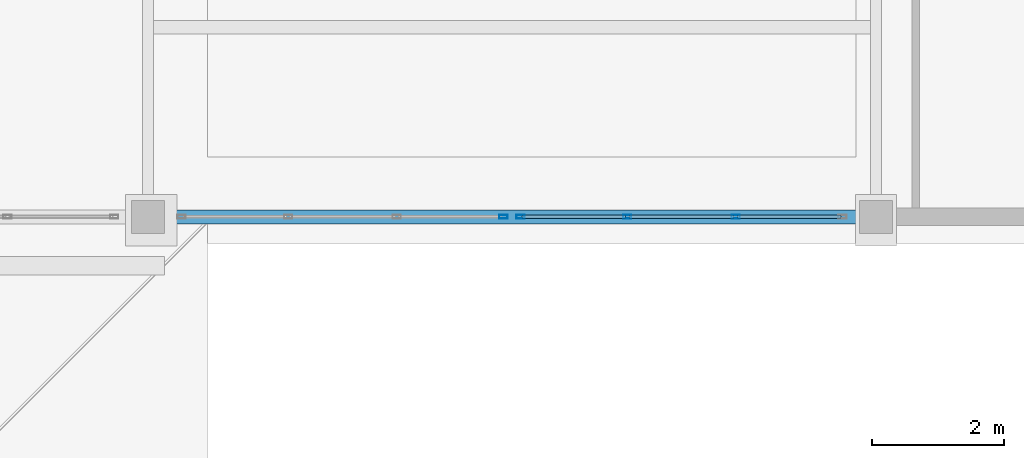
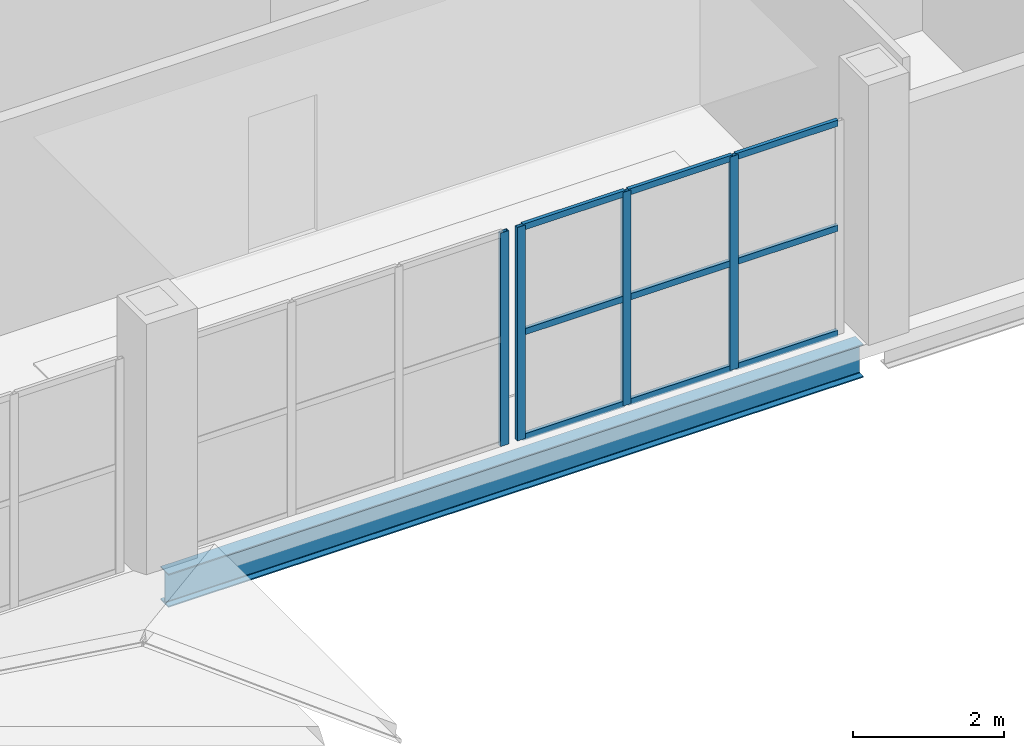
# One storey, part 7 of 26: 13 members, 1 beam, 2 elements without a shape of their own.
"""IFC4 building model written with IfcOpenShell, lengths in metres."""

from ifc_helpers import new_model, si_unit, direction, frame, origin, origin_2d, place, context, subcontext, project, spatial, hollow_rectangle, i_section, extrude, material, material_profile, profile_set, type_object, element, aggregate, save


model = new_model("IFC4")

# Units and contexts
model_context = context("Model", 3, precision=1e-05, world=origin(), true_north=direction((0.0, 1.0)))
body_context = subcontext(model_context, "Body", "Model", "MODEL_VIEW")
ifc_project = project(units=[si_unit("LENGTHUNIT", "METRE"), si_unit("AREAUNIT", "SQUARE_METRE"), si_unit("VOLUMEUNIT", "CUBIC_METRE"), si_unit("PLANEANGLEUNIT", "RADIAN"), si_unit("MASSUNIT", "GRAM", prefix="KILO")], contexts=[model_context])

# Site, building, storey
site_placement = place(None, origin())
site = spatial("IfcSite", under=ifc_project, at=site_placement, CompositionType="ELEMENT")
building_placement = place(site_placement, origin())
building = spatial("IfcBuilding", under=site, at=building_placement, Name="Caurita Quay Ferry Terminal", CompositionType="ELEMENT")
storey_placement = place(building_placement, frame((0.0, 0.0, 18.300048828125)))
storey = spatial("IfcBuildingStorey", under=building, at=storey_placement, Name="L04", CompositionType="ELEMENT", Elevation=18.300048828125)

# Beam
ifc_material_1 = material(Name="Structural steel ASTM A992 Gr. 50", Category="steel")
ifc_material_profile_1 = material_profile(ifc_material_1, i_section(OverallWidth=0.210693359375, OverallDepth=0.53857421875, WebThickness=0.01171875, FlangeThickness=0.018798828125, FilletRadius=0.013916015625, at=origin_2d()), Name="W21X73")
ifc_profile_set_1 = profile_set([ifc_material_profile_1], Name="Structural steel ASTM A992 Gr. 50")
beam_type = type_object("IfcBeamType", Name="BM-GR-W21A", PredefinedType="BEAM", material=ifc_profile_set_1)
beam_placement = place(storey_placement, frame((22.19140625, 71.60009765625, -0.4892578125), z_axis=(1.0, 0.0, 0.0), x_axis=(0.0, 1.0, 0.0)))
element("IfcBeam", 1, at=beam_placement, inside=storey, type_object=beam_type, Name="L04 Beam BM-V5-L04-X-222-716", PredefinedType="BEAM", context=body_context, shape_type="SweptSolid", body=[
    extrude(i_section(OverallWidth=0.210693359375, OverallDepth=0.53857421875, WebThickness=0.01171875, FlangeThickness=0.018798828125, FilletRadius=0.013916015625, at=origin_2d()), origin(), (0.0, 0.0, 1.0), 10.617431640625),
])

# Curtain wall, member
ifc_material_2 = material(Name="Laminated solar-control insulated glass", Category="glass")
curtain_wall_type = type_object("IfcCurtainWallType", Name="CW-SYS-22", PredefinedType="NOTDEFINED", material=ifc_material_2)
curtain_wall_1_placement = place(storey_placement, origin())
curtain_wall_1 = element("IfcCurtainWall", 2, at=curtain_wall_1_placement, inside=storey, type_object=curtain_wall_type, Name="VTS Harbour South Watch Curtain Wall 154", PredefinedType="NOTDEFINED")
ifc_material_3 = material(Name="Anodized aluminium 6063-T6", Category="aluminium")
ifc_material_profile_2 = material_profile(ifc_material_3, hollow_rectangle(XDim=0.054931640625, YDim=0.125, WallThickness=0.00341796875, at=origin_2d()), Name="ALU-MUL-55X125")
ifc_profile_set_2 = profile_set([ifc_material_profile_2], Name="Anodized aluminium 6063-T6")
member_type_1 = type_object("IfcMemberType", Name="CW-MUL-125", PredefinedType="MULLION", material=ifc_profile_set_2)
member_1_placement = place(storey_placement, frame((27.37255859375, 71.60009765625, 0.0), z_axis=(0.0, 0.0, 1.0), x_axis=(0.0, 1.0, 0.0)))
member_1 = element("IfcMember", 3, at=member_1_placement, type_object=member_type_1, Name="CW-VTS-154 Mullion 4", PredefinedType="MULLION", context=body_context, shape_type="SweptSolid", body=[
    extrude(hollow_rectangle(XDim=0.054931640625, YDim=0.125, WallThickness=0.00341796875, at=origin_2d()), origin(), (0.0, 0.0, 1.0), 3.449951171875),
])
aggregate(curtain_wall_1, [member_1])

# Curtain wall, members
curtain_wall_2_placement = place(storey_placement, origin())
curtain_wall_2 = element("IfcCurtainWall", 4, at=curtain_wall_2_placement, inside=storey, type_object=curtain_wall_type, Name="VTS Harbour South Watch Curtain Wall 155", PredefinedType="NOTDEFINED")
member_2_placement = place(storey_placement, frame((27.62744140625, 71.60009765625, 0.0), z_axis=(0.0, 0.0, 1.0), x_axis=(0.0, 1.0, 0.0)))
member_2 = element("IfcMember", 5, at=member_2_placement, type_object=member_type_1, Name="CW-VTS-155 Mullion 1", PredefinedType="MULLION", context=body_context, shape_type="SweptSolid", body=[
    extrude(hollow_rectangle(XDim=0.054931640625, YDim=0.125, WallThickness=0.00341796875, at=origin_2d()), origin(), (0.0, 0.0, 1.0), 3.449951171875),
])
member_3_placement = place(storey_placement, frame((29.239990234375, 71.60009765625, 0.0), z_axis=(0.0, 0.0, 1.0), x_axis=(0.0, 1.0, 0.0)))
member_3 = element("IfcMember", 6, at=member_3_placement, type_object=member_type_1, Name="CW-VTS-155 Mullion 2", PredefinedType="MULLION", context=body_context, shape_type="SweptSolid", body=[
    extrude(hollow_rectangle(XDim=0.054931640625, YDim=0.125, WallThickness=0.00341796875, at=origin_2d()), origin(), (0.0, 0.0, 1.0), 3.449951171875),
])
member_4_placement = place(storey_placement, frame((30.8798828125, 71.60009765625, 0.0), z_axis=(0.0, 0.0, 1.0), x_axis=(0.0, 1.0, 0.0)))
member_4 = element("IfcMember", 7, at=member_4_placement, type_object=member_type_1, Name="CW-VTS-155 Mullion 3", PredefinedType="MULLION", context=body_context, shape_type="SweptSolid", body=[
    extrude(hollow_rectangle(XDim=0.054931640625, YDim=0.125, WallThickness=0.00341796875, at=origin_2d()), origin(), (0.0, 0.0, 1.0), 3.449951171875),
])
ifc_material_profile_3 = material_profile(ifc_material_3, hollow_rectangle(XDim=0.054931640625, YDim=0.10009765625, WallThickness=0.00341796875, at=origin_2d()), Name="ALU-TRN-55X100")
ifc_profile_set_3 = profile_set([ifc_material_profile_3], Name="Anodized aluminium 6063-T6")
member_type_2 = type_object("IfcMemberType", Name="CW-TRN-100", PredefinedType="USERDEFINED", material=ifc_profile_set_3)
member_5_placement = place(storey_placement, frame((27.653076171875, 71.60009765625, 0.02734375), z_axis=(1.0, 0.0, 0.0), x_axis=(0.0, 1.0, 0.0)))
member_5 = element("IfcMember", 8, at=member_5_placement, type_object=member_type_2, Name="CW-VTS-155 Transom 1", ObjectType="TRANSOM", PredefinedType="USERDEFINED", context=body_context, shape_type="SweptSolid", body=[
    extrude(hollow_rectangle(XDim=0.054931640625, YDim=0.10009765625, WallThickness=0.00341796875, at=origin_2d()), origin(), (0.0, 0.0, 1.0), 1.5615234375),
])
member_6_placement = place(storey_placement, frame((27.653076171875, 71.60009765625, 1.724853515625), z_axis=(1.0, 0.0, 0.0), x_axis=(0.0, 1.0, 0.0)))
member_6 = element("IfcMember", 9, at=member_6_placement, type_object=member_type_2, Name="CW-VTS-155 Transom 2", ObjectType="TRANSOM", PredefinedType="USERDEFINED", context=body_context, shape_type="SweptSolid", body=[
    extrude(hollow_rectangle(XDim=0.054931640625, YDim=0.10009765625, WallThickness=0.00341796875, at=origin_2d()), origin(), (0.0, 0.0, 1.0), 1.5615234375),
])
member_7_placement = place(storey_placement, frame((27.653076171875, 71.60009765625, 3.42236328125), z_axis=(1.0, 0.0, 0.0), x_axis=(0.0, 1.0, 0.0)))
member_7 = element("IfcMember", 10, at=member_7_placement, type_object=member_type_2, Name="CW-VTS-155 Transom 3", ObjectType="TRANSOM", PredefinedType="USERDEFINED", context=body_context, shape_type="SweptSolid", body=[
    extrude(hollow_rectangle(XDim=0.054931640625, YDim=0.10009765625, WallThickness=0.00341796875, at=origin_2d()), origin(), (0.0, 0.0, 1.0), 1.5615234375),
])
member_8_placement = place(storey_placement, frame((29.265380859375, 71.60009765625, 0.02734375), z_axis=(1.0, 0.0, 0.0), x_axis=(0.0, 1.0, 0.0)))
member_8 = element("IfcMember", 11, at=member_8_placement, type_object=member_type_2, Name="CW-VTS-155 Transom 4", ObjectType="TRANSOM", PredefinedType="USERDEFINED", context=body_context, shape_type="SweptSolid", body=[
    extrude(hollow_rectangle(XDim=0.054931640625, YDim=0.10009765625, WallThickness=0.00341796875, at=origin_2d()), origin(), (0.0, 0.0, 1.0), 1.589111328125),
])
member_9_placement = place(storey_placement, frame((29.265380859375, 71.60009765625, 1.724853515625), z_axis=(1.0, 0.0, 0.0), x_axis=(0.0, 1.0, 0.0)))
member_9 = element("IfcMember", 12, at=member_9_placement, type_object=member_type_2, Name="CW-VTS-155 Transom 5", ObjectType="TRANSOM", PredefinedType="USERDEFINED", context=body_context, shape_type="SweptSolid", body=[
    extrude(hollow_rectangle(XDim=0.054931640625, YDim=0.10009765625, WallThickness=0.00341796875, at=origin_2d()), origin(), (0.0, 0.0, 1.0), 1.589111328125),
])
member_10_placement = place(storey_placement, frame((29.265380859375, 71.60009765625, 3.42236328125), z_axis=(1.0, 0.0, 0.0), x_axis=(0.0, 1.0, 0.0)))
member_10 = element("IfcMember", 13, at=member_10_placement, type_object=member_type_2, Name="CW-VTS-155 Transom 6", ObjectType="TRANSOM", PredefinedType="USERDEFINED", context=body_context, shape_type="SweptSolid", body=[
    extrude(hollow_rectangle(XDim=0.054931640625, YDim=0.10009765625, WallThickness=0.00341796875, at=origin_2d()), origin(), (0.0, 0.0, 1.0), 1.589111328125),
])
member_11_placement = place(storey_placement, frame((30.905517578125, 71.60009765625, 0.02734375), z_axis=(1.0, 0.0, 0.0), x_axis=(0.0, 1.0, 0.0)))
member_11 = element("IfcMember", 14, at=member_11_placement, type_object=member_type_2, Name="CW-VTS-155 Transom 7", ObjectType="TRANSOM", PredefinedType="USERDEFINED", context=body_context, shape_type="SweptSolid", body=[
    extrude(hollow_rectangle(XDim=0.054931640625, YDim=0.10009765625, WallThickness=0.00341796875, at=origin_2d()), origin(), (0.0, 0.0, 1.0), 1.5615234375),
])
member_12_placement = place(storey_placement, frame((30.905517578125, 71.60009765625, 1.724853515625), z_axis=(1.0, 0.0, 0.0), x_axis=(0.0, 1.0, 0.0)))
member_12 = element("IfcMember", 15, at=member_12_placement, type_object=member_type_2, Name="CW-VTS-155 Transom 8", ObjectType="TRANSOM", PredefinedType="USERDEFINED", context=body_context, shape_type="SweptSolid", body=[
    extrude(hollow_rectangle(XDim=0.054931640625, YDim=0.10009765625, WallThickness=0.00341796875, at=origin_2d()), origin(), (0.0, 0.0, 1.0), 1.5615234375),
])
member_13_placement = place(storey_placement, frame((30.905517578125, 71.60009765625, 3.42236328125), z_axis=(1.0, 0.0, 0.0), x_axis=(0.0, 1.0, 0.0)))
member_13 = element("IfcMember", 16, at=member_13_placement, type_object=member_type_2, Name="CW-VTS-155 Transom 9", ObjectType="TRANSOM", PredefinedType="USERDEFINED", context=body_context, shape_type="SweptSolid", body=[
    extrude(hollow_rectangle(XDim=0.054931640625, YDim=0.10009765625, WallThickness=0.00341796875, at=origin_2d()), origin(), (0.0, 0.0, 1.0), 1.5615234375),
])
aggregate(curtain_wall_2, [member_2, member_3, member_4, member_5, member_6, member_7, member_8, member_9, member_10, member_11, member_12, member_13])

save(model, "model.ifc")
